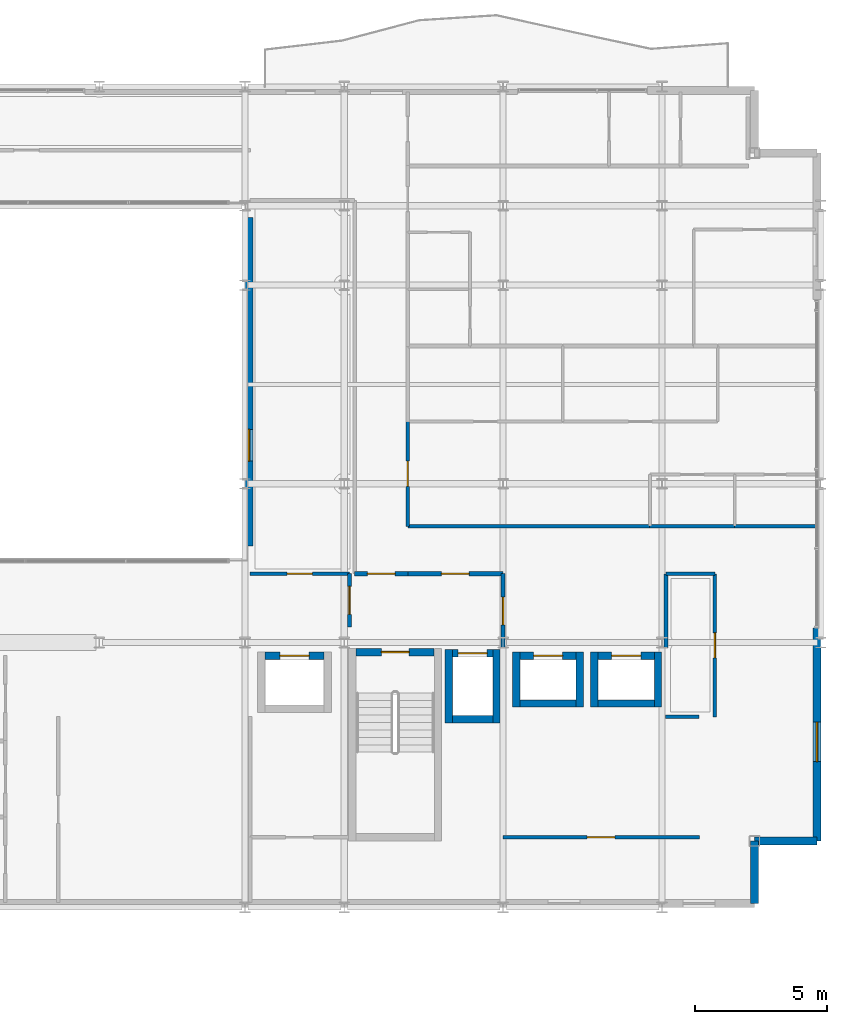
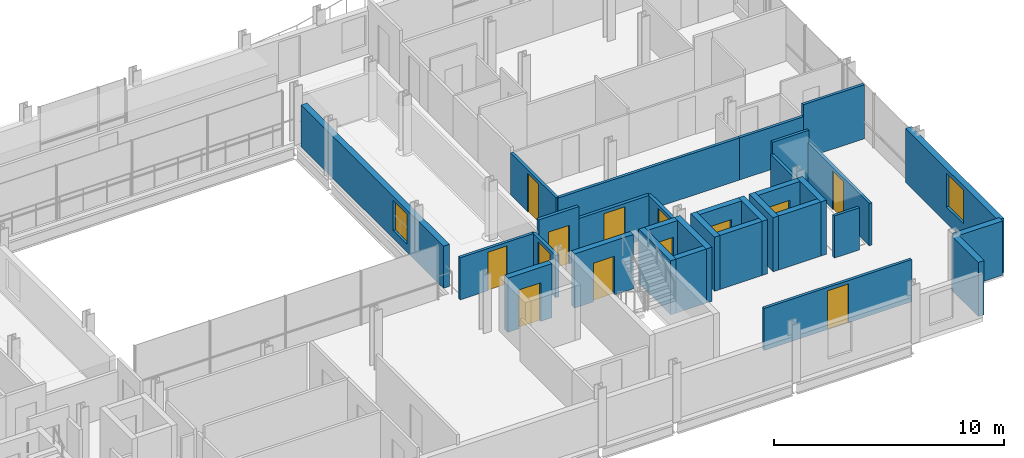
# One storey, part 36 of 41: 32 walls, 13 doors, 2 windows, 15 openings.
"""IFC4 building model written with IfcOpenShell, lengths in metres."""

from ifc_helpers import new_model, si_unit, direction, frame, frame_2d, origin, place, context, subcontext, project, spatial, rectangle, extrude, material, layer, layer_set, type_object, element, fill, save


model = new_model("IFC4")

# Units and contexts
model_context = context("Model", 3, precision=1e-05, world=origin(), true_north=direction((0.0, 1.0)))
body_context = subcontext(model_context, "Body", "Model", "MODEL_VIEW")
ifc_project = project(units=[si_unit("LENGTHUNIT", "METRE"), si_unit("AREAUNIT", "SQUARE_METRE"), si_unit("VOLUMEUNIT", "CUBIC_METRE"), si_unit("PLANEANGLEUNIT", "RADIAN"), si_unit("MASSUNIT", "GRAM", prefix="KILO")], contexts=[model_context])

# Site, building, storey
site_placement = place(None, origin())
site = spatial("IfcSite", under=ifc_project, at=site_placement, CompositionType="ELEMENT")
building_placement = place(site_placement, origin())
building = spatial("IfcBuilding", under=site, at=building_placement, Name="Brevholm Reach", CompositionType="ELEMENT")
storey_placement = place(building_placement, frame((0.0, 0.0, 138.699951171875)))
storey = spatial("IfcBuildingStorey", under=building, at=storey_placement, Name="L41", CompositionType="ELEMENT", Elevation=138.699951171875)

# Wall, opening, door
ifc_material_1 = material(Name="Concrete C50/60", Category="concrete")
ifc_layer_1 = layer(ifc_material_1, 0.280029296875)
ifc_layer_set_1 = layer_set([ifc_layer_1], Name="Concrete C50/60")
wall_type_1 = type_object("IfcWallType", Name="WAL-COR-280", PredefinedType="SHEAR", material=ifc_layer_set_1)
wall_1_placement = place(storey_placement, frame((45.39990234375, 9.639892578125, 0.0), z_axis=(0.0, 0.0, 1.0), x_axis=(-1.0, 0.0, 0.0)))
wall_1 = element("IfcWall", 1, at=wall_1_placement, inside=storey, type_object=wall_type_1, Name="L41 Escape Stair ST-2 Core Wall N", PredefinedType="SHEAR", context=body_context, shape_type="SweptSolid", body=[
    extrude(rectangle(XDim=2.949951171875, YDim=0.280029296875, at=frame_2d((1.47509765625, 0.0))), origin(), (0.0, 0.0, 1.0), 2.880126953125),
])
opening_1_placement = place(wall_1_placement, frame((0.949951171875, 0.0, 0.0)))
opening_1 = element("IfcOpeningElement", 2, at=opening_1_placement, cuts=wall_1, Name="Opening SD-ST-2", PredefinedType="OPENING", context=body_context, shape_type="SweptSolid", body=[
    extrude(rectangle(XDim=1.050048828125, YDim=2.06005859375, at=frame_2d((0.52490234375, 1.030029296875))), frame((0.0, 0.14990234375, 0.0), z_axis=(0.0, -1.0, 0.0), x_axis=(1.0, 0.0, 0.0)), (0.0, 0.0, 1.0), 0.300048828125),
])
ifc_material_2 = material(Name="Hardwood-Lipped Steel-Core Fire and Smoke Door", Category="steel")
door_type_1 = type_object("IfcDoorType", Name="DOR-INT-FD60S", OperationType="NOTDEFINED", PredefinedType="DOOR", material=ifc_material_2)
door_1_placement = place(opening_1_placement, origin())
door_1 = element("IfcDoor", 3, at=door_1_placement, inside=storey, type_object=door_type_1, Name="L41 Protected Stair ST-2 Lobby Door", OperationType="SINGLE_SWING_RIGHT", OverallHeight=2.06005859375, OverallWidth=1.050048828125, PredefinedType="DOOR", context=body_context, shape_type="SweptSolid", body=[
    extrude(rectangle(XDim=1.050048828125, YDim=2.06005859375, at=frame_2d((0.52490234375, 1.030029296875))), frame((0.0, 0.02490234375, 0.0), z_axis=(0.0, -1.0, 0.0), x_axis=(1.0, 0.0, 0.0)), (0.0, 0.0, 1.0), 0.050048828125),
])
fill(opening_1, door_1)

# Walls
for number, where, z_axis, x_axis, name in (
    (4, (45.949951171875, 6.9599609375, 0.0), (0.0, 0.0, 1.0), (0.0, 1.0, 0.0), "L41 Lift FFL-2 Shaft Wall W"),
    (5, (47.75, 6.9599609375, 0.0), (0.0, 0.0, 1.0), (0.0, 1.0, 0.0), "L41 Lift FFL-2 Shaft Wall E"),
):
    element("IfcWall", number, at=place(storey_placement, frame(where, z_axis=z_axis, x_axis=x_axis)), inside=storey, type_object=wall_type_1, Name=name, PredefinedType="SHEAR", context=body_context, shape_type="SweptSolid", body=[
        extrude(rectangle(XDim=2.780029296875, YDim=0.280029296875, at=frame_2d((1.39013671875, 0.0))), origin(), (0.0, 0.0, 1.0), 2.880126953125),
    ])
wall_2_placement = place(storey_placement, frame((46.090087890625, 7.10009765625, 0.0), z_axis=(0.0, 0.0, 1.0), x_axis=(1.0, 0.0, 0.0)))
element("IfcWall", 6, at=wall_2_placement, inside=storey, type_object=wall_type_1, Name="L41 Lift FFL-2 Shaft Wall S", PredefinedType="SHEAR", context=body_context, shape_type="SweptSolid", body=[
    extrude(rectangle(XDim=1.52001953125, YDim=0.280029296875, at=frame_2d((0.760009765625, 0.0))), origin(), (0.0, 0.0, 1.0), 2.880126953125),
])

# Wall, opening, door
wall_3_placement = place(storey_placement, frame((46.090087890625, 9.60009765625, 0.0), z_axis=(0.0, 0.0, 1.0), x_axis=(1.0, 0.0, 0.0)))
wall_3 = element("IfcWall", 7, at=wall_3_placement, inside=storey, type_object=wall_type_1, Name="L41 Lift FFL-2 Shaft Wall N", PredefinedType="SHEAR", context=body_context, shape_type="SweptSolid", body=[
    extrude(rectangle(XDim=1.52001953125, YDim=0.280029296875, at=frame_2d((0.760009765625, 0.0))), origin(), (0.0, 0.0, 1.0), 2.880126953125),
])
opening_2_placement = place(wall_3_placement, frame((0.2099609375, 0.0, 0.0)))
opening_2 = element("IfcOpeningElement", 8, at=opening_2_placement, cuts=wall_3, Name="Opening LD-FFL-2", PredefinedType="OPENING", context=body_context, shape_type="SweptSolid", body=[
    extrude(rectangle(XDim=1.10009765625, YDim=2.06005859375, at=frame_2d((0.550048828125, 1.030029296875))), frame((0.0, 0.14990234375, 0.0), z_axis=(0.0, -1.0, 0.0), x_axis=(1.0, 0.0, 0.0)), (0.0, 0.0, 1.0), 0.300048828125),
])
ifc_material_3 = material(Name="Brushed Stainless Steel Fire-Rated Sliding Lift Door", Category="steel")
door_type_2 = type_object("IfcDoorType", Name="DOR-LFT-1100", OperationType="NOTDEFINED", PredefinedType="DOOR", material=ifc_material_3)
door_2_placement = place(opening_2_placement, origin())
door_2 = element("IfcDoor", 9, at=door_2_placement, inside=storey, type_object=door_type_2, Name="L41 Lift FFL-2 Sliding Landing Door", OperationType="SLIDING_TO_RIGHT", OverallHeight=2.06005859375, OverallWidth=1.10009765625, PredefinedType="DOOR", context=body_context, shape_type="SweptSolid", body=[
    extrude(rectangle(XDim=1.10009765625, YDim=2.06005859375, at=frame_2d((0.550048828125, 1.030029296875))), frame((0.0, 0.02490234375, 0.0), z_axis=(0.0, -1.0, 0.0), x_axis=(1.0, 0.0, 0.0)), (0.0, 0.0, 1.0), 0.050048828125),
])
fill(opening_2, door_2)

wall_4_placement = place(storey_placement, frame((39.010009765625, 9.5, 0.0), z_axis=(0.0, 0.0, 1.0), x_axis=(1.0, 0.0, 0.0)))
wall_4 = element("IfcWall", 10, at=wall_4_placement, inside=storey, type_object=wall_type_1, Name="L41 Lift PL-S1 Shaft Wall N", PredefinedType="SHEAR", context=body_context, shape_type="SweptSolid", body=[
    extrude(rectangle(XDim=2.219970703125, YDim=0.280029296875, at=frame_2d((1.10986328125, 0.0))), origin(), (0.0, 0.0, 1.0), 2.880126953125),
])
opening_3_placement = place(wall_4_placement, frame((0.56005859375, 0.0, 0.0)))
opening_3 = element("IfcOpeningElement", 11, at=opening_3_placement, cuts=wall_4, Name="Opening LD-PL-S1", PredefinedType="OPENING", context=body_context, shape_type="SweptSolid", body=[
    extrude(rectangle(XDim=1.10009765625, YDim=2.06005859375, at=frame_2d((0.550048828125, 1.030029296875))), frame((0.0, 0.14990234375, 0.0), z_axis=(0.0, -1.0, 0.0), x_axis=(1.0, 0.0, 0.0)), (0.0, 0.0, 1.0), 0.300048828125),
])
door_3_placement = place(opening_3_placement, origin())
door_3 = element("IfcDoor", 12, at=door_3_placement, inside=storey, type_object=door_type_2, Name="L41 Lift PL-S1 Sliding Landing Door", OperationType="SLIDING_TO_LEFT", OverallHeight=2.06005859375, OverallWidth=1.10009765625, PredefinedType="DOOR", context=body_context, shape_type="SweptSolid", body=[
    extrude(rectangle(XDim=1.10009765625, YDim=2.06005859375, at=frame_2d((0.550048828125, 1.030029296875))), frame((0.0, 0.02490234375, 0.0), z_axis=(0.0, -1.0, 0.0), x_axis=(1.0, 0.0, 0.0)), (0.0, 0.0, 1.0), 0.050048828125),
])
fill(opening_3, door_3)

# Walls
for number, where, z_axis, x_axis, name in (
    (13, (48.5, 7.56005859375, 0.0), (0.0, 0.0, 1.0), (0.0, 1.0, 0.0), "L41 Lift PL-H1 Shaft Wall W"),
    (14, (50.89990234375, 7.56005859375, 0.0), (0.0, 0.0, 1.0), (0.0, 1.0, 0.0), "L41 Lift PL-H1 Shaft Wall E"),
):
    element("IfcWall", number, at=place(storey_placement, frame(where, z_axis=z_axis, x_axis=x_axis)), inside=storey, type_object=wall_type_1, Name=name, PredefinedType="SHEAR", context=body_context, shape_type="SweptSolid", body=[
        extrude(rectangle(XDim=2.079833984375, YDim=0.280029296875, at=frame_2d((1.0400390625, 0.0))), origin(), (0.0, 0.0, 1.0), 2.880126953125),
    ])
wall_5_placement = place(storey_placement, frame((48.639892578125, 7.699951171875, 0.0), z_axis=(0.0, 0.0, 1.0), x_axis=(1.0, 0.0, 0.0)))
element("IfcWall", 15, at=wall_5_placement, inside=storey, type_object=wall_type_1, Name="L41 Lift PL-H1 Shaft Wall S", PredefinedType="SHEAR", context=body_context, shape_type="SweptSolid", body=[
    extrude(rectangle(XDim=2.1201171875, YDim=0.280029296875, at=frame_2d((1.06005859375, 0.0))), origin(), (0.0, 0.0, 1.0), 2.880126953125),
])

# Wall, opening, door
wall_6_placement = place(storey_placement, frame((48.639892578125, 9.5, 0.0), z_axis=(0.0, 0.0, 1.0), x_axis=(1.0, 0.0, 0.0)))
wall_6 = element("IfcWall", 16, at=wall_6_placement, inside=storey, type_object=wall_type_1, Name="L41 Lift PL-H1 Shaft Wall N", PredefinedType="SHEAR", context=body_context, shape_type="SweptSolid", body=[
    extrude(rectangle(XDim=2.1201171875, YDim=0.280029296875, at=frame_2d((1.06005859375, 0.0))), origin(), (0.0, 0.0, 1.0), 2.880126953125),
])
opening_4_placement = place(wall_6_placement, frame((0.510009765625, 0.0, 0.0)))
opening_4 = element("IfcOpeningElement", 17, at=opening_4_placement, cuts=wall_6, Name="Opening LD-PL-H1", PredefinedType="OPENING", context=body_context, shape_type="SweptSolid", body=[
    extrude(rectangle(XDim=1.10009765625, YDim=2.06005859375, at=frame_2d((0.550048828125, 1.030029296875))), frame((0.0, 0.14990234375, 0.0), z_axis=(0.0, -1.0, 0.0), x_axis=(1.0, 0.0, 0.0)), (0.0, 0.0, 1.0), 0.300048828125),
])
door_4_placement = place(opening_4_placement, origin())
door_4 = element("IfcDoor", 18, at=door_4_placement, inside=storey, type_object=door_type_2, Name="L41 Lift PL-H1 Sliding Landing Door", OperationType="SLIDING_TO_RIGHT", OverallHeight=2.06005859375, OverallWidth=1.10009765625, PredefinedType="DOOR", context=body_context, shape_type="SweptSolid", body=[
    extrude(rectangle(XDim=1.10009765625, YDim=2.06005859375, at=frame_2d((0.550048828125, 1.030029296875))), frame((0.0, 0.02490234375, 0.0), z_axis=(0.0, -1.0, 0.0), x_axis=(1.0, 0.0, 0.0)), (0.0, 0.0, 1.0), 0.050048828125),
])
fill(opening_4, door_4)

# Walls
for number, where, z_axis, x_axis, name in (
    (19, (51.449951171875, 7.56005859375, 0.0), (0.0, 0.0, 1.0), (0.0, 1.0, 0.0), "L41 Lift PL-H2 Shaft Wall W"),
    (20, (53.85009765625, 7.56005859375, 0.0), (0.0, 0.0, 1.0), (0.0, 1.0, 0.0), "L41 Lift PL-H2 Shaft Wall E"),
):
    element("IfcWall", number, at=place(storey_placement, frame(where, z_axis=z_axis, x_axis=x_axis)), inside=storey, type_object=wall_type_1, Name=name, PredefinedType="SHEAR", context=body_context, shape_type="SweptSolid", body=[
        extrude(rectangle(XDim=2.079833984375, YDim=0.280029296875, at=frame_2d((1.0400390625, 0.0))), origin(), (0.0, 0.0, 1.0), 2.880126953125),
    ])
wall_7_placement = place(storey_placement, frame((51.590087890625, 7.699951171875, 0.0), z_axis=(0.0, 0.0, 1.0), x_axis=(1.0, 0.0, 0.0)))
element("IfcWall", 21, at=wall_7_placement, inside=storey, type_object=wall_type_1, Name="L41 Lift PL-H2 Shaft Wall S", PredefinedType="SHEAR", context=body_context, shape_type="SweptSolid", body=[
    extrude(rectangle(XDim=2.119873046875, YDim=0.280029296875, at=frame_2d((1.06005859375, 0.0))), origin(), (0.0, 0.0, 1.0), 2.880126953125),
])

# Wall, opening, door
wall_8_placement = place(storey_placement, frame((51.590087890625, 9.5, 0.0), z_axis=(0.0, 0.0, 1.0), x_axis=(1.0, 0.0, 0.0)))
wall_8 = element("IfcWall", 22, at=wall_8_placement, inside=storey, type_object=wall_type_1, Name="L41 Lift PL-H2 Shaft Wall N", PredefinedType="SHEAR", context=body_context, shape_type="SweptSolid", body=[
    extrude(rectangle(XDim=2.119873046875, YDim=0.280029296875, at=frame_2d((1.06005859375, 0.0))), origin(), (0.0, 0.0, 1.0), 2.880126953125),
])
opening_5_placement = place(wall_8_placement, frame((0.510009765625, 0.0, 0.0)))
opening_5 = element("IfcOpeningElement", 23, at=opening_5_placement, cuts=wall_8, Name="Opening LD-PL-H2", PredefinedType="OPENING", context=body_context, shape_type="SweptSolid", body=[
    extrude(rectangle(XDim=1.10009765625, YDim=2.06005859375, at=frame_2d((0.550048828125, 1.030029296875))), frame((0.0, 0.14990234375, 0.0), z_axis=(0.0, -1.0, 0.0), x_axis=(1.0, 0.0, 0.0)), (0.0, 0.0, 1.0), 0.300048828125),
])
door_5_placement = place(opening_5_placement, origin())
door_5 = element("IfcDoor", 24, at=door_5_placement, inside=storey, type_object=door_type_2, Name="L41 Lift PL-H2 Sliding Landing Door", OperationType="SLIDING_TO_LEFT", OverallHeight=2.06005859375, OverallWidth=1.10009765625, PredefinedType="DOOR", context=body_context, shape_type="SweptSolid", body=[
    extrude(rectangle(XDim=1.10009765625, YDim=2.06005859375, at=frame_2d((0.550048828125, 1.030029296875))), frame((0.0, 0.02490234375, 0.0), z_axis=(0.0, -1.0, 0.0), x_axis=(1.0, 0.0, 0.0)), (0.0, 0.0, 1.0), 0.050048828125),
])
fill(opening_5, door_5)

# Walls
ifc_material_4 = material(Name="Concrete C40/50", Category="concrete")
ifc_layer_2 = layer(ifc_material_4, 0.300048828125)
ifc_layer_set_2 = layer_set([ifc_layer_2], Name="Concrete C40/50")
wall_type_2 = type_object("IfcWallType", Name="WAL-EXT-300", PredefinedType="STANDARD", material=ifc_layer_set_2)
for number, where, z_axis, x_axis, name in (
    (25, (57.5, 0.14990234375, 0.0), (0.0, 0.0, 1.0), (0.0, 1.0, 0.0), "L41 Facade Wall WAL-L41-CSE1"),
    (26, (57.5, 2.5, 0.0), (0.0, 0.0, 1.0), (1.0, 0.0, 0.0), "L41 Facade Wall WAL-L41-CSE2"),
):
    element("IfcWall", number, at=place(storey_placement, frame(where, z_axis=z_axis, x_axis=x_axis)), inside=storey, type_object=wall_type_2, Name=name, PredefinedType="STANDARD", context=body_context, shape_type="SweptSolid", body=[
        extrude(rectangle(XDim=2.35009765625, YDim=0.300048828125, at=frame_2d((1.175048828125, 0.0))), origin(), (0.0, 0.0, 1.0), 2.880126953125),
    ])

# Wall, opening, window
wall_9_placement = place(storey_placement, frame((59.85009765625, 2.5, 0.0), z_axis=(0.0, 0.0, 1.0), x_axis=(0.0, 1.0, 0.0)))
wall_9 = element("IfcWall", 27, at=wall_9_placement, inside=storey, type_object=wall_type_2, Name="L41 Facade Wall WAL-L41-E-S", PredefinedType="STANDARD", context=body_context, shape_type="SweptSolid", body=[
    extrude(rectangle(XDim=8.050048828125, YDim=0.300048828125, at=frame_2d((4.02490234375, 0.0))), origin(), (0.0, 0.0, 1.0), 2.880126953125),
])
opening_6_placement = place(wall_9_placement, frame((3.0, 0.0, 0.860107421875)))
opening_6 = element("IfcOpeningElement", 28, at=opening_6_placement, cuts=wall_9, Name="Opening WN-05", PredefinedType="OPENING", context=body_context, shape_type="SweptSolid", body=[
    extrude(rectangle(XDim=1.5, YDim=1.800048828125, at=frame_2d((0.75, 0.89990234375))), frame((0.0, 0.159912109375, 0.0), z_axis=(0.0, -1.0, 0.0), x_axis=(1.0, 0.0, 0.0)), (0.0, 0.0, 1.0), 0.320068359375),
])
ifc_material_5 = material(Name="Dark Anodised Aluminium and Solar-Control IGU Glass", Category="aluminium")
window_type_1 = type_object("IfcWindowType", Name="WIN-RES-1500", PartitioningType="SINGLE_PANEL", PredefinedType="WINDOW", material=ifc_material_5)
window_1_placement = place(opening_6_placement, origin())
window_1 = element("IfcWindow", 29, at=window_1_placement, inside=storey, type_object=window_type_1, Name="L41 Window WIN-L41-ES-1", OverallHeight=1.800048828125, OverallWidth=1.5, PartitioningType="SINGLE_PANEL", PredefinedType="WINDOW", context=body_context, shape_type="SweptSolid", body=[
    extrude(rectangle(XDim=1.5, YDim=1.800048828125, at=frame_2d((0.75, 0.89990234375))), frame((0.0, 0.030029296875, 0.0), z_axis=(0.0, -1.0, 0.0), x_axis=(1.0, 0.0, 0.0)), (0.0, 0.0, 1.0), 0.06005859375),
])
fill(opening_6, window_1)

wall_10_placement = place(storey_placement, frame((38.39990234375, 13.64990234375, 0.0), z_axis=(0.0, 0.0, 1.0), x_axis=(0.0, 1.0, 0.0)))
wall_10 = element("IfcWall", 30, at=wall_10_placement, inside=storey, type_object=wall_type_2, Name="L41 Facade Wall WAL-L41-AT-E", PredefinedType="STANDARD", context=body_context, shape_type="SweptSolid", body=[
    extrude(rectangle(XDim=12.400146484375, YDim=0.300048828125, at=frame_2d((6.2001953125, 0.0))), origin(), (0.0, 0.0, 1.0), 2.242919921875),
])
opening_7_placement = place(wall_10_placement, frame((3.199951171875, 0.0, 0.423095703125)))
opening_7 = element("IfcOpeningElement", 31, at=opening_7_placement, cuts=wall_10, Name="Opening WN-08", PredefinedType="OPENING", context=body_context, shape_type="SweptSolid", body=[
    extrude(rectangle(XDim=1.199951171875, YDim=1.60009765625, at=frame_2d((0.60009765625, 0.800048828125))), frame((0.0, 0.159912109375, 0.0), z_axis=(0.0, -1.0, 0.0), x_axis=(1.0, 0.0, 0.0)), (0.0, 0.0, 1.0), 0.320068359375),
])
ifc_material_6 = material(Name="Dark Anodised Aluminium and Solar-Control IGU Glass", Category="aluminium")
window_type_2 = type_object("IfcWindowType", Name="WIN-RES-1200", PartitioningType="SINGLE_PANEL", PredefinedType="WINDOW", material=ifc_material_6)
window_2_placement = place(opening_7_placement, origin())
window_2 = element("IfcWindow", 32, at=window_2_placement, inside=storey, type_object=window_type_2, Name="L41 Window WIN-L41-AT-E1", OverallHeight=1.60009765625, OverallWidth=1.199951171875, PartitioningType="SINGLE_PANEL", PredefinedType="WINDOW", context=body_context, shape_type="SweptSolid", body=[
    extrude(rectangle(XDim=1.199951171875, YDim=1.60009765625, at=frame_2d((0.60009765625, 0.800048828125))), frame((0.0, 0.030029296875, 0.0), z_axis=(0.0, -1.0, 0.0), x_axis=(1.0, 0.0, 0.0)), (0.0, 0.0, 1.0), 0.06005859375),
])
fill(opening_7, window_2)

# Wall, opening, door
ifc_material_7 = material(Name="Twin-Stud Acoustic Fire-Rated Gypsum Partition 140 mm", Category="gypsum")
ifc_layer_3 = layer(ifc_material_7, 0.139892578125)
ifc_layer_set_3 = layer_set([ifc_layer_3], Name="Twin-Stud Acoustic Fire-Rated Gypsum Partition 140 mm")
wall_type_3 = type_object("IfcWallType", Name="WAL-PRT-140", PredefinedType="PARTITIONING", material=ifc_layer_set_3)
wall_11_placement = place(storey_placement, frame((56.0, 7.188720703125, 0.0), z_axis=(0.0, 0.0, 1.0), x_axis=(0.0, 1.0, 0.0)))
wall_11 = element("IfcWall", 33, at=wall_11_placement, inside=storey, type_object=wall_type_3, Name="L41 Internal Partition 012", PredefinedType="PARTITIONING", context=body_context, shape_type="SweptSolid", body=[
    extrude(rectangle(XDim=5.411376953125, YDim=0.139892578125, at=frame_2d((2.70556640625, 0.0))), origin(), (0.0, 0.0, 1.0), 2.242919921875),
])
opening_8_placement = place(wall_11_placement, frame((2.230712890625, 0.0, 0.0)))
opening_8 = element("IfcOpeningElement", 34, at=opening_8_placement, cuts=wall_11, Name="Opening ID-30", PredefinedType="OPENING", context=body_context, shape_type="SweptSolid", body=[
    extrude(rectangle(XDim=0.949951171875, YDim=2.050048828125, at=frame_2d((0.47509765625, 1.02490234375))), frame((0.0, 0.079833984375, 0.0), z_axis=(0.0, -1.0, 0.0), x_axis=(1.0, 0.0, 0.0)), (0.0, 0.0, 1.0), 0.159912109375),
])
ifc_material_8 = material(Name="European Oak Veneered Solid-Core Fire Entrance Door", Category="timber")
door_type_3 = type_object("IfcDoorType", Name="DOR-FLT-FD30S", OperationType="NOTDEFINED", PredefinedType="DOOR", material=ifc_material_8)
door_6_placement = place(opening_8_placement, origin())
door_6 = element("IfcDoor", 35, at=door_6_placement, inside=storey, type_object=door_type_3, Name="L41 Internal Door 005", OperationType="SINGLE_SWING_RIGHT", OverallHeight=2.050048828125, OverallWidth=0.949951171875, PredefinedType="DOOR", context=body_context, shape_type="SweptSolid", body=[
    extrude(rectangle(XDim=0.949951171875, YDim=2.050048828125, at=frame_2d((0.47509765625, 1.02490234375))), frame((0.0, 0.02490234375, 0.0), z_axis=(0.0, -1.0, 0.0), x_axis=(1.0, 0.0, 0.0)), (0.0, 0.0, 1.0), 0.050048828125),
])
fill(opening_8, door_6)

wall_12_placement = place(storey_placement, frame((47.98876953125, 2.64990234375, 0.0), z_axis=(0.0, 0.0, 1.0), x_axis=(1.0, 0.0, 0.0)))
wall_12 = element("IfcWall", 36, at=wall_12_placement, inside=storey, type_object=wall_type_3, Name="L41 Internal Partition 014", PredefinedType="PARTITIONING", context=body_context, shape_type="SweptSolid", body=[
    extrude(rectangle(XDim=7.422607421875, YDim=0.139892578125, at=frame_2d((3.71142578125, 0.0))), origin(), (0.0, 0.0, 1.0), 2.242919921875),
])
opening_9_placement = place(wall_12_placement, frame((3.186279296875, 0.0, 0.0)))
opening_9 = element("IfcOpeningElement", 37, at=opening_9_placement, cuts=wall_12, Name="Opening FD-01", PredefinedType="OPENING", context=body_context, shape_type="SweptSolid", body=[
    extrude(rectangle(XDim=1.050048828125, YDim=2.06005859375, at=frame_2d((0.52490234375, 1.030029296875))), frame((0.0, 0.079833984375, 0.0), z_axis=(0.0, -1.0, 0.0), x_axis=(1.0, 0.0, 0.0)), (0.0, 0.0, 1.0), 0.159912109375),
])
door_7_placement = place(opening_9_placement, origin())
door_7 = element("IfcDoor", 38, at=door_7_placement, inside=storey, type_object=door_type_1, Name="L41 Internal Door 007", OperationType="SINGLE_SWING_RIGHT", OverallHeight=2.06005859375, OverallWidth=1.050048828125, PredefinedType="DOOR", context=body_context, shape_type="SweptSolid", body=[
    extrude(rectangle(XDim=1.050048828125, YDim=2.06005859375, at=frame_2d((0.52490234375, 1.030029296875))), frame((0.0, 0.02490234375, 0.0), z_axis=(0.0, -1.0, 0.0), x_axis=(1.0, 0.0, 0.0)), (0.0, 0.0, 1.0), 0.050048828125),
])
fill(opening_9, door_7)

# Walls
wall_13_placement = place(storey_placement, frame((54.138671875, 7.199951171875, 0.0), z_axis=(0.0, 0.0, 1.0), x_axis=(1.0, 0.0, 0.0)))
element("IfcWall", 39, at=wall_13_placement, inside=storey, type_object=wall_type_3, Name="L41 Internal Partition 019", PredefinedType="PARTITIONING", context=body_context, shape_type="SweptSolid", body=[
    extrude(rectangle(XDim=1.26123046875, YDim=0.139892578125, at=frame_2d((0.630615234375, 0.0))), origin(), (0.0, 0.0, 1.0), 2.242919921875),
])
wall_14_placement = place(storey_placement, frame((54.14990234375, 9.800048828125, 0.0), z_axis=(0.0, 0.0, 1.0), x_axis=(0.0, 1.0, 0.0)))
element("IfcWall", 40, at=wall_14_placement, inside=storey, type_object=wall_type_3, Name="L41 Internal Partition 031", PredefinedType="PARTITIONING", context=body_context, shape_type="SweptSolid", body=[
    extrude(rectangle(XDim=2.800048828125, YDim=0.139892578125, at=frame_2d((1.39990234375, 0.0))), origin(), (0.0, 0.0, 1.0), 2.242919921875),
])
wall_15_placement = place(storey_placement, frame((54.154052734375, 12.60009765625, 0.0), z_axis=(0.0, 0.0, 1.0), x_axis=(1.0, 0.0, 0.0)))
element("IfcWall", 41, at=wall_15_placement, inside=storey, type_object=wall_type_3, Name="L41 Internal Partition 032", PredefinedType="PARTITIONING", context=body_context, shape_type="SweptSolid", body=[
    extrude(rectangle(XDim=1.842041015625, YDim=0.139892578125, at=frame_2d((0.9208984375, 0.0))), origin(), (0.0, 0.0, 1.0), 2.880126953125),
])

# Wall, opening, door
wall_16_placement = place(storey_placement, frame((38.438720703125, 12.60009765625, 0.0), z_axis=(0.0, 0.0, 1.0), x_axis=(1.0, 0.0, 0.0)))
wall_16 = element("IfcWall", 42, at=wall_16_placement, inside=storey, type_object=wall_type_3, Name="L41 Internal Partition 033", PredefinedType="PARTITIONING", context=body_context, shape_type="SweptSolid", body=[
    extrude(rectangle(XDim=3.75732421875, YDim=0.139892578125, at=frame_2d((1.878662109375, 0.0))), origin(), (0.0, 0.0, 1.0), 2.242919921875),
])
opening_10_placement = place(wall_16_placement, frame((1.40380859375, 0.0, 0.0)))
opening_10 = element("IfcOpeningElement", 43, at=opening_10_placement, cuts=wall_16, Name="Opening ID-30", PredefinedType="OPENING", context=body_context, shape_type="SweptSolid", body=[
    extrude(rectangle(XDim=0.949951171875, YDim=2.050048828125, at=frame_2d((0.47509765625, 1.02490234375))), frame((0.0, 0.079833984375, 0.0), z_axis=(0.0, -1.0, 0.0), x_axis=(1.0, 0.0, 0.0)), (0.0, 0.0, 1.0), 0.159912109375),
])
door_8_placement = place(opening_10_placement, origin())
door_8 = element("IfcDoor", 44, at=door_8_placement, inside=storey, type_object=door_type_3, Name="L41 Internal Door 017", OperationType="SINGLE_SWING_RIGHT", OverallHeight=2.050048828125, OverallWidth=0.949951171875, PredefinedType="DOOR", context=body_context, shape_type="SweptSolid", body=[
    extrude(rectangle(XDim=0.949951171875, YDim=2.050048828125, at=frame_2d((0.47509765625, 1.02490234375))), frame((0.0, 0.02490234375, 0.0), z_axis=(0.0, -1.0, 0.0), x_axis=(1.0, 0.0, 0.0)), (0.0, 0.0, 1.0), 0.050048828125),
])
fill(opening_10, door_8)

wall_17_placement = place(storey_placement, frame((44.39990234375, 14.392578125, 0.0), z_axis=(0.0, 0.0, 1.0), x_axis=(0.0, 1.0, 0.0)))
wall_17 = element("IfcWall", 45, at=wall_17_placement, inside=storey, type_object=wall_type_3, Name="L41 Internal Partition 043", PredefinedType="PARTITIONING", context=body_context, shape_type="SweptSolid", body=[
    extrude(rectangle(XDim=3.96484375, YDim=0.139892578125, at=frame_2d((1.982421875, 0.0))), origin(), (0.0, 0.0, 1.0), 2.242919921875),
])
opening_11_placement = place(wall_17_placement, frame((1.50732421875, 0.0, 0.0)))
opening_11 = element("IfcOpeningElement", 46, at=opening_11_placement, cuts=wall_17, Name="Opening ID-30", PredefinedType="OPENING", context=body_context, shape_type="SweptSolid", body=[
    extrude(rectangle(XDim=0.949951171875, YDim=2.050048828125, at=frame_2d((0.47509765625, 1.02490234375))), frame((0.0, 0.079833984375, 0.0), z_axis=(0.0, -1.0, 0.0), x_axis=(1.0, 0.0, 0.0)), (0.0, 0.0, 1.0), 0.159912109375),
])
door_9_placement = place(opening_11_placement, origin())
door_9 = element("IfcDoor", 47, at=door_9_placement, inside=storey, type_object=door_type_3, Name="L41 Internal Door 022", OperationType="SINGLE_SWING_LEFT", OverallHeight=2.050048828125, OverallWidth=0.949951171875, PredefinedType="DOOR", context=body_context, shape_type="SweptSolid", body=[
    extrude(rectangle(XDim=0.949951171875, YDim=2.050048828125, at=frame_2d((0.47509765625, 1.02490234375))), frame((0.0, 0.02490234375, 0.0), z_axis=(0.0, -1.0, 0.0), x_axis=(1.0, 0.0, 0.0)), (0.0, 0.0, 1.0), 0.050048828125),
])
fill(opening_11, door_9)

# Walls
wall_18_placement = place(storey_placement, frame((56.73876953125, 14.39990234375, 0.0), z_axis=(0.0, 0.0, 1.0), x_axis=(1.0, 0.0, 0.0)))
element("IfcWall", 48, at=wall_18_placement, inside=storey, type_object=wall_type_3, Name="L41 Internal Partition 049", PredefinedType="PARTITIONING", context=body_context, shape_type="SweptSolid", body=[
    extrude(rectangle(XDim=3.072509765625, YDim=0.139892578125, at=frame_2d((1.5361328125, 0.0))), origin(), (0.0, 0.0, 1.0), 2.880126953125),
])
wall_19_placement = place(storey_placement, frame((53.538818359375, 14.39990234375, 0.0), z_axis=(0.0, 0.0, 1.0), x_axis=(1.0, 0.0, 0.0)))
element("IfcWall", 49, at=wall_19_placement, inside=storey, type_object=wall_type_3, Name="L41 Internal Partition 050", PredefinedType="PARTITIONING", context=body_context, shape_type="SweptSolid", body=[
    extrude(rectangle(XDim=3.218505859375, YDim=0.139892578125, at=frame_2d((1.609375, 0.0))), origin(), (0.0, 0.0, 1.0), 2.242919921875),
])
wall_20_placement = place(storey_placement, frame((44.404052734375, 14.39990234375, 0.0), z_axis=(0.0, 0.0, 1.0), x_axis=(1.0, 0.0, 0.0)))
element("IfcWall", 50, at=wall_20_placement, inside=storey, type_object=wall_type_3, Name="L41 Internal Partition 051", PredefinedType="PARTITIONING", context=body_context, shape_type="SweptSolid", body=[
    extrude(rectangle(XDim=9.1533203125, YDim=0.139892578125, at=frame_2d((4.57666015625, 0.0))), origin(), (0.0, 0.0, 1.0), 2.242919921875),
])

# Wall, opening, door
ifc_material_9 = material(Name="Twin-Frame Fire-Rated Gypsum Board and Mineral Wool 160 mm", Category="gypsum")
ifc_layer_4 = layer(ifc_material_9, 0.159912109375)
ifc_layer_set_4 = layer_set([ifc_layer_4], Name="Twin-Frame Fire-Rated Gypsum Board and Mineral Wool 160 mm")
wall_type_4 = type_object("IfcWallType", Name="WAL-PRT-160", PredefinedType="PARTITIONING", material=ifc_layer_set_4)
wall_21_placement = place(storey_placement, frame((48.0, 9.788818359375, 0.0), z_axis=(0.0, 0.0, 1.0), x_axis=(0.0, 1.0, 0.0)))
wall_21 = element("IfcWall", 51, at=wall_21_placement, inside=storey, type_object=wall_type_4, Name="L41 Internal Partition 027", PredefinedType="PARTITIONING", context=body_context, shape_type="SweptSolid", body=[
    extrude(rectangle(XDim=2.811279296875, YDim=0.159912109375, at=frame_2d((1.40576171875, 0.0))), origin(), (0.0, 0.0, 1.0), 2.242919921875),
])
opening_12_placement = place(wall_21_placement, frame((0.880615234375, 0.0, 0.0)))
opening_12 = element("IfcOpeningElement", 52, at=opening_12_placement, cuts=wall_21, Name="Opening FD-01", PredefinedType="OPENING", context=body_context, shape_type="SweptSolid", body=[
    extrude(rectangle(XDim=1.050048828125, YDim=2.06005859375, at=frame_2d((0.52490234375, 1.030029296875))), frame((0.0, 0.08984375, 0.0), z_axis=(0.0, -1.0, 0.0), x_axis=(1.0, 0.0, 0.0)), (0.0, 0.0, 1.0), 0.179931640625),
])
door_10_placement = place(opening_12_placement, origin())
door_10 = element("IfcDoor", 53, at=door_10_placement, inside=storey, type_object=door_type_1, Name="L41 Internal Door 013", OperationType="SINGLE_SWING_RIGHT", OverallHeight=2.06005859375, OverallWidth=1.050048828125, PredefinedType="DOOR", context=body_context, shape_type="SweptSolid", body=[
    extrude(rectangle(XDim=1.050048828125, YDim=2.06005859375, at=frame_2d((0.52490234375, 1.030029296875))), frame((0.0, 0.02490234375, 0.0), z_axis=(0.0, -1.0, 0.0), x_axis=(1.0, 0.0, 0.0)), (0.0, 0.0, 1.0), 0.050048828125),
])
fill(opening_12, door_10)

wall_22_placement = place(storey_placement, frame((42.199951171875, 10.588623046875, 0.0), z_axis=(0.0, 0.0, 1.0), x_axis=(0.0, 1.0, 0.0)))
wall_22 = element("IfcWall", 54, at=wall_22_placement, inside=storey, type_object=wall_type_4, Name="L41 Internal Partition 028", PredefinedType="PARTITIONING", context=body_context, shape_type="SweptSolid", body=[
    extrude(rectangle(XDim=2.011474609375, YDim=0.159912109375, at=frame_2d((1.005859375, 0.0))), origin(), (0.0, 0.0, 1.0), 2.242919921875),
])
opening_13_placement = place(wall_22_placement, frame((0.480712890625, 0.0, 0.0)))
opening_13 = element("IfcOpeningElement", 55, at=opening_13_placement, cuts=wall_22, Name="Opening FD-01", PredefinedType="OPENING", context=body_context, shape_type="SweptSolid", body=[
    extrude(rectangle(XDim=1.050048828125, YDim=2.06005859375, at=frame_2d((0.52490234375, 1.030029296875))), frame((0.0, 0.08984375, 0.0), z_axis=(0.0, -1.0, 0.0), x_axis=(1.0, 0.0, 0.0)), (0.0, 0.0, 1.0), 0.179931640625),
])
door_11_placement = place(opening_13_placement, origin())
door_11 = element("IfcDoor", 56, at=door_11_placement, inside=storey, type_object=door_type_1, Name="L41 Internal Door 014", OperationType="SINGLE_SWING_LEFT", OverallHeight=2.06005859375, OverallWidth=1.050048828125, PredefinedType="DOOR", context=body_context, shape_type="SweptSolid", body=[
    extrude(rectangle(XDim=1.050048828125, YDim=2.06005859375, at=frame_2d((0.52490234375, 1.030029296875))), frame((0.0, 0.02490234375, 0.0), z_axis=(0.0, -1.0, 0.0), x_axis=(1.0, 0.0, 0.0)), (0.0, 0.0, 1.0), 0.050048828125),
])
fill(opening_13, door_11)

wall_23_placement = place(storey_placement, frame((42.388671875, 12.60009765625, 0.0), z_axis=(0.0, 0.0, 1.0), x_axis=(1.0, 0.0, 0.0)))
wall_23 = element("IfcWall", 57, at=wall_23_placement, inside=storey, type_object=wall_type_4, Name="L41 Internal Partition 029", PredefinedType="PARTITIONING", context=body_context, shape_type="SweptSolid", body=[
    extrude(rectangle(XDim=2.022705078125, YDim=0.159912109375, at=frame_2d((1.01123046875, 0.0))), origin(), (0.0, 0.0, 1.0), 2.880126953125),
])
opening_14_placement = place(wall_23_placement, frame((0.486328125, 0.0, 0.0)))
opening_14 = element("IfcOpeningElement", 58, at=opening_14_placement, cuts=wall_23, Name="Opening FD-01", PredefinedType="OPENING", context=body_context, shape_type="SweptSolid", body=[
    extrude(rectangle(XDim=1.050048828125, YDim=2.06005859375, at=frame_2d((0.52490234375, 1.030029296875))), frame((0.0, 0.08984375, 0.0), z_axis=(0.0, -1.0, 0.0), x_axis=(1.0, 0.0, 0.0)), (0.0, 0.0, 1.0), 0.179931640625),
])
door_12_placement = place(opening_14_placement, origin())
door_12 = element("IfcDoor", 59, at=door_12_placement, inside=storey, type_object=door_type_1, Name="L41 Internal Door 015", OperationType="SINGLE_SWING_RIGHT", OverallHeight=2.06005859375, OverallWidth=1.050048828125, PredefinedType="DOOR", context=body_context, shape_type="SweptSolid", body=[
    extrude(rectangle(XDim=1.050048828125, YDim=2.06005859375, at=frame_2d((0.52490234375, 1.030029296875))), frame((0.0, 0.02490234375, 0.0), z_axis=(0.0, -1.0, 0.0), x_axis=(1.0, 0.0, 0.0)), (0.0, 0.0, 1.0), 0.050048828125),
])
fill(opening_14, door_12)

wall_24_placement = place(storey_placement, frame((44.392578125, 12.60009765625, 0.0), z_axis=(0.0, 0.0, 1.0), x_axis=(1.0, 0.0, 0.0)))
wall_24 = element("IfcWall", 60, at=wall_24_placement, inside=storey, type_object=wall_type_4, Name="L41 Internal Partition 030", PredefinedType="PARTITIONING", context=body_context, shape_type="SweptSolid", body=[
    extrude(rectangle(XDim=3.607421875, YDim=0.159912109375, at=frame_2d((1.8037109375, 0.0))), origin(), (0.0, 0.0, 1.0), 2.242919921875),
])
opening_15_placement = place(wall_24_placement, frame((1.27880859375, 0.0, 0.0)))
opening_15 = element("IfcOpeningElement", 61, at=opening_15_placement, cuts=wall_24, Name="Opening FD-01", PredefinedType="OPENING", context=body_context, shape_type="SweptSolid", body=[
    extrude(rectangle(XDim=1.050048828125, YDim=2.06005859375, at=frame_2d((0.52490234375, 1.030029296875))), frame((0.0, 0.08984375, 0.0), z_axis=(0.0, -1.0, 0.0), x_axis=(1.0, 0.0, 0.0)), (0.0, 0.0, 1.0), 0.179931640625),
])
door_13_placement = place(opening_15_placement, origin())
door_13 = element("IfcDoor", 62, at=door_13_placement, inside=storey, type_object=door_type_1, Name="L41 Internal Door 016", OperationType="SINGLE_SWING_LEFT", OverallHeight=2.06005859375, OverallWidth=1.050048828125, PredefinedType="DOOR", context=body_context, shape_type="SweptSolid", body=[
    extrude(rectangle(XDim=1.050048828125, YDim=2.06005859375, at=frame_2d((0.52490234375, 1.030029296875))), frame((0.0, 0.02490234375, 0.0), z_axis=(0.0, -1.0, 0.0), x_axis=(1.0, 0.0, 0.0)), (0.0, 0.0, 1.0), 0.050048828125),
])
fill(opening_15, door_13)

save(model, "model.ifc")
